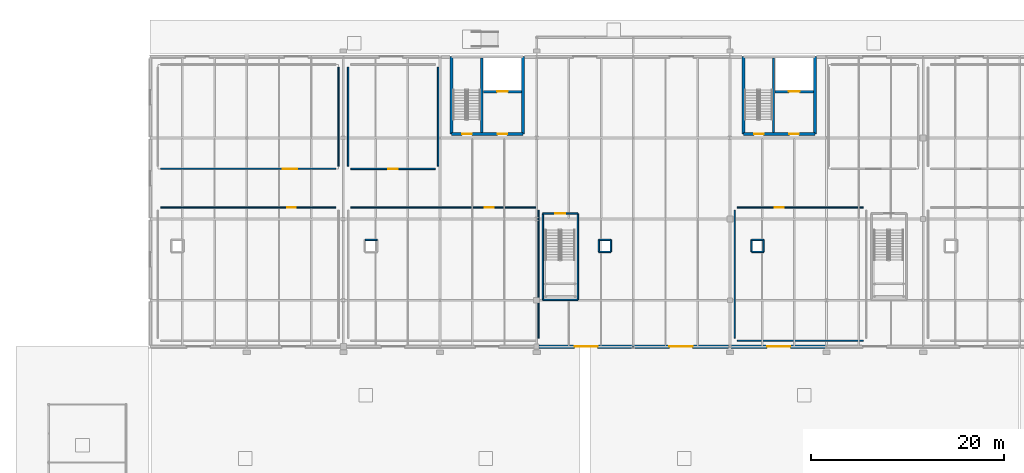
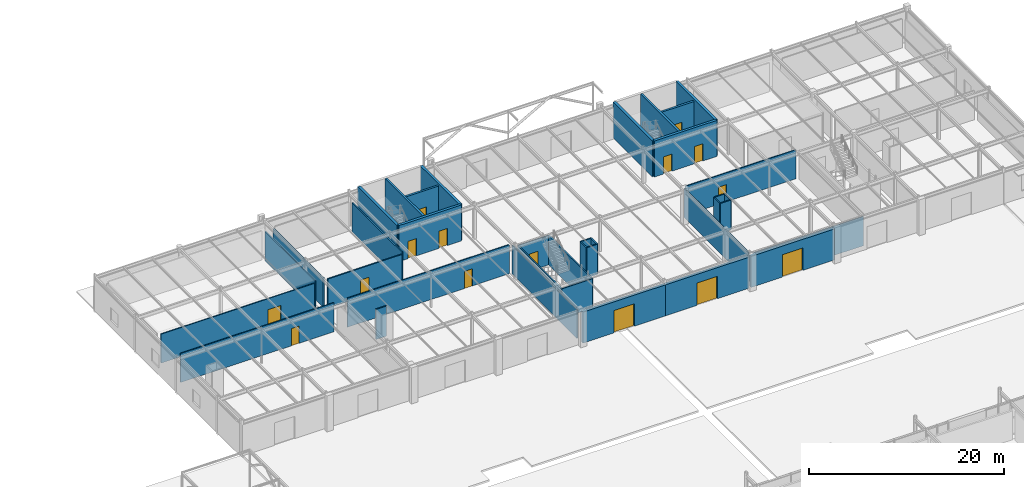
# One storey, part 92 of 119: 37 walls, 15 doors, 15 openings.
"""IFC4 building model written with IfcOpenShell, lengths in metres."""

from ifc_helpers import new_model, si_unit, derived_unit, direction, frame, frame_2d, origin, place, context, subcontext, project, spatial, rectangle, extrude, material, layer, layer_set, type_object, element, fill, save


model = new_model("IFC4")

# Units and contexts
model_context = context("Model", 3, precision=1e-05, world=origin(), true_north=direction((0.0, 1.0)))
body_context = subcontext(model_context, "Body", "Model", "MODEL_VIEW")
ifc_project = project(units=[si_unit("LENGTHUNIT", "METRE"), si_unit("AREAUNIT", "SQUARE_METRE"), si_unit("VOLUMEUNIT", "CUBIC_METRE"), si_unit("PLANEANGLEUNIT", "RADIAN"), si_unit("MASSUNIT", "GRAM", prefix="KILO"), derived_unit("THERMALTRANSMITTANCEUNIT", [(si_unit("POWERUNIT", "WATT"), 1), (si_unit("LENGTHUNIT", "METRE"), -2), (si_unit("THERMODYNAMICTEMPERATUREUNIT", "KELVIN"), -1)])], contexts=[model_context])

# Site, building, storey
site_placement = place(None, origin())
site = spatial("IfcSite", under=ifc_project, at=site_placement, CompositionType="ELEMENT")
building_placement = place(site_placement, origin())
building = spatial("IfcBuilding", under=site, at=building_placement, Name="Cinnabar Yard Market Hall", CompositionType="ELEMENT")
storey_placement = place(building_placement, origin())
storey = spatial("IfcBuildingStorey", under=building, at=storey_placement, Name="L00", CompositionType="ELEMENT", Elevation=0.0)

# Wall, opening, door
ifc_material_1 = material(Name="Acoustic steel-stud plasterboard", Category="steel")
ifc_layer_1 = layer(ifc_material_1, 0.1201171875)
ifc_layer_set_1 = layer_set([ifc_layer_1], Name="Acoustic steel-stud plasterboard")
wall_type_1 = type_object("IfcWallType", Name="WL-PT120", PredefinedType="PARTITIONING", material=ifc_layer_set_1)
wall_1_placement = place(storey_placement, frame((85.219970703125, 122.39990234375, 0.0), z_axis=(0.0, 0.0, 1.0), x_axis=(-1.0, 0.0, 0.0)))
wall_1 = element("IfcWall", 1, at=wall_1_placement, inside=storey, type_object=wall_type_1, Name="Partition Sourdough Mill and Bakery Workshop north", PredefinedType="PARTITIONING", context=body_context, shape_type="SweptSolid", body=[
    extrude(rectangle(XDim=18.139892578125, YDim=0.1201171875, at=frame_2d((9.06982421875, 0.0), x_axis=(1.0, 0.0))), origin(), (0.0, 0.0, 1.0), 3.6201171875),
])
opening_1_placement = place(wall_1_placement, frame((4.1328125, 0.0, 0.0)))
opening_1 = element("IfcOpeningElement", 2, at=opening_1_placement, cuts=wall_1, Name="Opening ID-131", PredefinedType="OPENING", context=body_context, shape_type="SweptSolid", body=[
    extrude(rectangle(XDim=0.919921875, YDim=2.14990234375, at=frame_2d((0.4599609375, 1.074951171875), x_axis=(1.0, 0.0))), frame((0.0, 0.070068359375, 0.0), z_axis=(0.0, -1.0, 0.0), x_axis=(1.0, 0.0, 0.0)), (0.0, 0.0, 1.0), 0.14013671875),
])
ifc_material_2 = material(Name="Solid-core spotted gum timber", Category="wood")
door_type_1 = type_object("IfcDoorType", Name="DR-D07", OperationType="NOTDEFINED", PredefinedType="DOOR", material=ifc_material_2)
door_1_placement = place(opening_1_placement, origin())
door_1 = element("IfcDoor", 3, at=door_1_placement, inside=storey, type_object=door_type_1, Name="Interior Door ID-131", OperationType="SINGLE_SWING_RIGHT", OverallHeight=2.14990234375, OverallWidth=0.919921875, PredefinedType="DOOR", context=body_context, shape_type="SweptSolid", body=[
    extrude(rectangle(XDim=0.919921875, YDim=2.14990234375, at=frame_2d((0.4599609375, 1.074951171875), x_axis=(1.0, 0.0))), frame((0.0, 0.02490234375, 0.0), z_axis=(0.0, -1.0, 0.0), x_axis=(1.0, 0.0, 0.0)), (0.0, 0.0, 1.0), 0.050048828125),
])
fill(opening_1, door_1)

# Wall
wall_2_placement = place(storey_placement, frame((106.199951171875, 108.8798828125, 0.0), z_axis=(0.0, 0.0, 1.0), x_axis=(0.0, 1.0, 0.0)))
element("IfcWall", 4, at=wall_2_placement, inside=storey, type_object=wall_type_1, Name="Partition Olive Oil Press and Preserve Workshop east", PredefinedType="PARTITIONING", context=body_context, shape_type="SweptSolid", body=[
    extrude(rectangle(XDim=13.240234375, YDim=0.1201171875, at=frame_2d((6.6201171875, 0.0), x_axis=(1.0, 0.0))), origin(), (0.0, 0.0, 1.0), 3.6201171875),
])

# Wall, opening, door
wall_3_placement = place(storey_placement, frame((105.919921875, 122.39990234375, 0.0), z_axis=(0.0, 0.0, 1.0), x_axis=(-1.0, 0.0, 0.0)))
wall_3 = element("IfcWall", 5, at=wall_3_placement, inside=storey, type_object=wall_type_1, Name="Partition Olive Oil Press and Preserve Workshop north", PredefinedType="PARTITIONING", context=body_context, shape_type="SweptSolid", body=[
    extrude(rectangle(XDim=19.139892578125, YDim=0.1201171875, at=frame_2d((9.56982421875, 0.0), x_axis=(1.0, 0.0))), origin(), (0.0, 0.0, 1.0), 3.6201171875),
])
opening_2_placement = place(wall_3_placement, frame((4.365478515625, 0.0, 0.0)))
opening_2 = element("IfcOpeningElement", 6, at=opening_2_placement, cuts=wall_3, Name="Opening ID-132", PredefinedType="OPENING", context=body_context, shape_type="SweptSolid", body=[
    extrude(rectangle(XDim=0.949951171875, YDim=2.14990234375, at=frame_2d((0.47509765625, 1.074951171875), x_axis=(1.0, 0.0))), frame((0.0, 0.070068359375, 0.0), z_axis=(0.0, -1.0, 0.0), x_axis=(1.0, 0.0, 0.0)), (0.0, 0.0, 1.0), 0.14013671875),
])
door_type_2 = type_object("IfcDoorType", Name="DR-D06", OperationType="NOTDEFINED", PredefinedType="DOOR", material=ifc_material_2)
door_2_placement = place(opening_2_placement, origin())
door_2 = element("IfcDoor", 7, at=door_2_placement, inside=storey, type_object=door_type_2, Name="Interior Door ID-132", OperationType="SINGLE_SWING_LEFT", OverallHeight=2.14990234375, OverallWidth=0.949951171875, PredefinedType="DOOR", context=body_context, shape_type="SweptSolid", body=[
    extrude(rectangle(XDim=0.949951171875, YDim=2.14990234375, at=frame_2d((0.47509765625, 1.074951171875), x_axis=(1.0, 0.0))), frame((0.0, 0.02490234375, 0.0), z_axis=(0.0, -1.0, 0.0), x_axis=(1.0, 0.0, 0.0)), (0.0, 0.0, 1.0), 0.050048828125),
])
fill(opening_2, door_2)

# Wall
wall_4_placement = place(storey_placement, frame((126.780029296875, 108.60009765625, 0.0), z_axis=(0.0, 0.0, 1.0), x_axis=(1.0, 0.0, 0.0)))
element("IfcWall", 8, at=wall_4_placement, inside=storey, type_object=wall_type_1, Name="Partition Ceramic Tableware and Knife Workshop south", PredefinedType="PARTITIONING", context=body_context, shape_type="SweptSolid", body=[
    extrude(rectangle(XDim=13.0400390625, YDim=0.1201171875, at=frame_2d((6.52001953125, 0.0), x_axis=(1.0, 0.0))), origin(), (0.0, 0.0, 1.0), 3.6201171875),
])

# Wall, opening, door
wall_5_placement = place(storey_placement, frame((139.820068359375, 122.39990234375, 0.0), z_axis=(0.0, 0.0, 1.0), x_axis=(-1.0, 0.0, 0.0)))
wall_5 = element("IfcWall", 9, at=wall_5_placement, inside=storey, type_object=wall_type_1, Name="Partition Ceramic Tableware and Knife Workshop north", PredefinedType="PARTITIONING", context=body_context, shape_type="SweptSolid", body=[
    extrude(rectangle(XDim=13.0400390625, YDim=0.1201171875, at=frame_2d((6.52001953125, 0.0), x_axis=(1.0, 0.0))), origin(), (0.0, 0.0, 1.0), 3.6201171875),
])
opening_3_placement = place(wall_5_placement, frame((8.24169921875, 0.0, 0.0)))
opening_3 = element("IfcOpeningElement", 10, at=opening_3_placement, cuts=wall_5, Name="Opening ID-133", PredefinedType="OPENING", context=body_context, shape_type="SweptSolid", body=[
    extrude(rectangle(XDim=0.919921875, YDim=2.14990234375, at=frame_2d((0.4599609375, 1.074951171875), x_axis=(1.0, 0.0))), frame((0.0, 0.070068359375, 0.0), z_axis=(0.0, -1.0, 0.0), x_axis=(1.0, 0.0, 0.0)), (0.0, 0.0, 1.0), 0.14013671875),
])
door_3_placement = place(opening_3_placement, origin())
door_3 = element("IfcDoor", 11, at=door_3_placement, inside=storey, type_object=door_type_1, Name="Interior Door ID-133", OperationType="SINGLE_SWING_RIGHT", OverallHeight=2.14990234375, OverallWidth=0.919921875, PredefinedType="DOOR", context=body_context, shape_type="SweptSolid", body=[
    extrude(rectangle(XDim=0.919921875, YDim=2.14990234375, at=frame_2d((0.4599609375, 1.074951171875), x_axis=(1.0, 0.0))), frame((0.0, 0.02490234375, 0.0), z_axis=(0.0, -1.0, 0.0), x_axis=(1.0, 0.0, 0.0)), (0.0, 0.0, 1.0), 0.050048828125),
])
fill(opening_3, door_3)

# Wall
wall_6_placement = place(storey_placement, frame((126.5, 122.1201171875, 0.0), z_axis=(0.0, 0.0, 1.0), x_axis=(0.0, -1.0, 0.0)))
element("IfcWall", 12, at=wall_6_placement, inside=storey, type_object=wall_type_1, Name="Partition Ceramic Tableware and Knife Workshop west", PredefinedType="PARTITIONING", context=body_context, shape_type="SweptSolid", body=[
    extrude(rectangle(XDim=13.240234375, YDim=0.1201171875, at=frame_2d((6.6201171875, 0.0), x_axis=(1.0, 0.0))), origin(), (0.0, 0.0, 1.0), 3.6201171875),
])

# Wall, opening, door
wall_7_placement = place(storey_placement, frame((67.080078125, 126.39990234375, 0.0), z_axis=(0.0, 0.0, 1.0), x_axis=(1.0, 0.0, 0.0)))
wall_7 = element("IfcWall", 13, at=wall_7_placement, inside=storey, type_object=wall_type_1, Name="Partition Producers Community Room 01 south", PredefinedType="PARTITIONING", context=body_context, shape_type="SweptSolid", body=[
    extrude(rectangle(XDim=18.139892578125, YDim=0.1201171875, at=frame_2d((9.06982421875, 0.0), x_axis=(1.0, 0.0))), origin(), (0.0, 0.0, 1.0), 3.6201171875),
])
opening_4_placement = place(wall_7_placement, frame((12.646484375, 0.0, 0.0)))
opening_4 = element("IfcOpeningElement", 14, at=opening_4_placement, cuts=wall_7, Name="Opening ID-136", PredefinedType="OPENING", context=body_context, shape_type="SweptSolid", body=[
    extrude(rectangle(XDim=1.5, YDim=2.25, at=frame_2d((0.75, 1.125), x_axis=(1.0, 0.0))), frame((0.0, 0.070068359375, 0.0), z_axis=(0.0, -1.0, 0.0), x_axis=(1.0, 0.0, 0.0)), (0.0, 0.0, 1.0), 0.14013671875),
])
ifc_material_3 = material(Name="Spotted gum timber and vision glass", Category="wood")
door_type_3 = type_object("IfcDoorType", Name="DR-D08", OperationType="NOTDEFINED", PredefinedType="DOOR", material=ifc_material_3)
door_4_placement = place(opening_4_placement, origin())
door_4 = element("IfcDoor", 15, at=door_4_placement, inside=storey, type_object=door_type_3, Name="Interior Door ID-136", OperationType="DOUBLE_SWING_LEFT", OverallHeight=2.25, OverallWidth=1.5, PredefinedType="DOOR", context=body_context, shape_type="SweptSolid", body=[
    extrude(rectangle(XDim=1.5, YDim=2.25, at=frame_2d((0.75, 1.125), x_axis=(1.0, 0.0))), frame((0.0, 0.02490234375, 0.0), z_axis=(0.0, -1.0, 0.0), x_axis=(1.0, 0.0, 0.0)), (0.0, 0.0, 1.0), 0.050048828125),
])
fill(opening_4, door_4)

# Walls
wall_8_placement = place(storey_placement, frame((85.5, 126.679931640625, 0.0), z_axis=(0.0, 0.0, 1.0), x_axis=(0.0, 1.0, 0.0)))
element("IfcWall", 16, at=wall_8_placement, inside=storey, type_object=wall_type_1, Name="Partition Producers Community Room 01 east", PredefinedType="PARTITIONING", context=body_context, shape_type="SweptSolid", body=[
    extrude(rectangle(XDim=10.239990234375, YDim=0.1201171875, at=frame_2d((5.1201171875, 0.0), x_axis=(1.0, 0.0))), origin(), (0.0, 0.0, 1.0), 3.6201171875),
])
ifc_material_4 = material(Name="Fire-rated steel-stud plasterboard", Category="steel")
ifc_layer_2 = layer(ifc_material_4, 0.14990234375)
ifc_layer_set_2 = layer_set([ifc_layer_2], Name="Fire-rated steel-stud plasterboard")
wall_type_2 = type_object("IfcWallType", Name="WL-PT150", PredefinedType="PARTITIONING", material=ifc_layer_set_2)
for number, where, z_axis, x_axis, name in (
    (17, (106.639892578125, 121.760009765625, 0.0), (0.0, 0.0, 1.0), (0.0, -1.0, 0.0), "Stair ST-F4 Shaft Wall W L00"),
    (18, (110.260009765625, 112.840087890625, 0.0), (0.0, 0.0, 1.0), (0.0, 1.0, 0.0), "Stair ST-F4 Shaft Wall E L00"),
):
    element("IfcWall", number, at=place(storey_placement, frame(where, z_axis=z_axis, x_axis=x_axis)), inside=storey, type_object=wall_type_2, Name=name, PredefinedType="PARTITIONING", context=body_context, shape_type="SweptSolid", body=[
        extrude(rectangle(XDim=8.919921875, YDim=0.14990234375, at=frame_2d((4.4599609375, 0.0), x_axis=(1.0, 0.0))), origin(), (0.0, 0.0, 1.0), 3.659912109375),
    ])
wall_9_placement = place(storey_placement, frame((106.639892578125, 112.840087890625, 0.0), z_axis=(0.0, 0.0, 1.0), x_axis=(1.0, 0.0, 0.0)))
element("IfcWall", 19, at=wall_9_placement, inside=storey, type_object=wall_type_2, Name="Stair ST-F4 Shaft Wall S L00", PredefinedType="PARTITIONING", context=body_context, shape_type="SweptSolid", body=[
    extrude(rectangle(XDim=3.6201171875, YDim=0.14990234375, at=frame_2d((1.81005859375, 0.0), x_axis=(1.0, 0.0))), origin(), (0.0, 0.0, 1.0), 3.659912109375),
])

# Wall, opening, door
wall_10_placement = place(storey_placement, frame((110.260009765625, 121.760009765625, 0.0), z_axis=(0.0, 0.0, 1.0), x_axis=(-1.0, 0.0, 0.0)))
wall_10 = element("IfcWall", 20, at=wall_10_placement, inside=storey, type_object=wall_type_2, Name="Stair ST-F4 Shaft Wall N L00", PredefinedType="PARTITIONING", context=body_context, shape_type="SweptSolid", body=[
    extrude(rectangle(XDim=3.6201171875, YDim=0.14990234375, at=frame_2d((1.81005859375, 0.0), x_axis=(1.0, 0.0))), origin(), (0.0, 0.0, 1.0), 3.659912109375),
])
opening_5_placement = place(wall_10_placement, frame((1.31005859375, 0.0, 0.0)))
opening_5 = element("IfcOpeningElement", 21, at=opening_5_placement, cuts=wall_10, Name="Opening CD-073", PredefinedType="OPENING", context=body_context, shape_type="SweptSolid", body=[
    extrude(rectangle(XDim=1.0, YDim=2.14990234375, at=frame_2d((0.5, 1.074951171875), x_axis=(1.0, 0.0))), frame((0.0, 0.0849609375, 0.0), z_axis=(0.0, -1.0, 0.0), x_axis=(1.0, 0.0, 0.0)), (0.0, 0.0, 1.0), 0.169921875),
])
door_type_4 = type_object("IfcDoorType", Name="DR-D05", OperationType="NOTDEFINED", PredefinedType="DOOR", material=ifc_material_2)
door_5_placement = place(opening_5_placement, origin())
door_5 = element("IfcDoor", 22, at=door_5_placement, inside=storey, type_object=door_type_4, Name="Stair Door CD-073", OperationType="SINGLE_SWING_LEFT", OverallHeight=2.14990234375, OverallWidth=1.0, PredefinedType="DOOR", context=body_context, shape_type="SweptSolid", body=[
    extrude(rectangle(XDim=1.0, YDim=2.14990234375, at=frame_2d((0.5, 1.074951171875), x_axis=(1.0, 0.0))), frame((0.0, 0.02490234375, 0.0), z_axis=(0.0, -1.0, 0.0), x_axis=(1.0, 0.0, 0.0)), (0.0, 0.0, 1.0), 0.050048828125),
])
fill(opening_5, door_5)

# Walls
for number, where, z_axis, x_axis, name in (
    (23, (89.489990234375, 119.050048828125, 0.0), (0.0, 0.0, 1.0), (-1.0, 0.0, 0.0), "Service Shaft Wall L00-2-3"),
    (24, (112.43994140625, 117.800048828125, 0.0), (0.0, 0.0, 1.0), (1.0, 0.0, 0.0), "Service Shaft Wall L00-3-1"),
    (25, (113.68994140625, 117.800048828125, 0.0), (0.0, 0.0, 1.0), (0.0, 1.0, 0.0), "Service Shaft Wall L00-3-2"),
    (26, (113.68994140625, 119.050048828125, 0.0), (0.0, 0.0, 1.0), (-1.0, 0.0, 0.0), "Service Shaft Wall L00-3-3"),
    (27, (112.43994140625, 119.050048828125, 0.0), (0.0, 0.0, 1.0), (0.0, -1.0, 0.0), "Service Shaft Wall L00-3-4"),
    (28, (128.239990234375, 117.800048828125, 0.0), (0.0, 0.0, 1.0), (1.0, 0.0, 0.0), "Service Shaft Wall L00-4-1"),
    (29, (129.489990234375, 117.800048828125, 0.0), (0.0, 0.0, 1.0), (0.0, 1.0, 0.0), "Service Shaft Wall L00-4-2"),
    (30, (129.489990234375, 119.050048828125, 0.0), (0.0, 0.0, 1.0), (-1.0, 0.0, 0.0), "Service Shaft Wall L00-4-3"),
    (31, (128.239990234375, 119.050048828125, 0.0), (0.0, 0.0, 1.0), (0.0, -1.0, 0.0), "Service Shaft Wall L00-4-4"),
):
    element("IfcWall", number, at=place(storey_placement, frame(where, z_axis=z_axis, x_axis=x_axis)), inside=storey, type_object=wall_type_2, Name=name, PredefinedType="PARTITIONING", context=body_context, shape_type="SweptSolid", body=[
        extrude(rectangle(XDim=1.25, YDim=0.14990234375, at=frame_2d((0.625, 0.0), x_axis=(1.0, 0.0))), origin(), (0.0, 0.0, 1.0), 3.760009765625),
    ])

# Wall, opening, door
wall_11_placement = place(storey_placement, frame((86.780029296875, 126.39990234375, 0.0), z_axis=(0.0, 0.0, 1.0), x_axis=(1.0, 0.0, 0.0)))
wall_11 = element("IfcWall", 32, at=wall_11_placement, inside=storey, type_object=wall_type_2, Name="Partition Fire Control Room south", PredefinedType="PARTITIONING", context=body_context, shape_type="SweptSolid", body=[
    extrude(rectangle(XDim=8.739990234375, YDim=0.14990234375, at=frame_2d((4.3701171875, 0.0), x_axis=(1.0, 0.0))), origin(), (0.0, 0.0, 1.0), 3.6201171875),
])
opening_6_placement = place(wall_11_placement, frame((3.8701171875, 0.0, 0.0)))
opening_6 = element("IfcOpeningElement", 33, at=opening_6_placement, cuts=wall_11, Name="Opening ID-135", PredefinedType="OPENING", context=body_context, shape_type="SweptSolid", body=[
    extrude(rectangle(XDim=1.0, YDim=2.14990234375, at=frame_2d((0.5, 1.074951171875), x_axis=(1.0, 0.0))), frame((0.0, 0.0849609375, 0.0), z_axis=(0.0, -1.0, 0.0), x_axis=(1.0, 0.0, 0.0)), (0.0, 0.0, 1.0), 0.169921875),
])
door_6_placement = place(opening_6_placement, origin())
door_6 = element("IfcDoor", 34, at=door_6_placement, inside=storey, type_object=door_type_4, Name="Interior Door ID-135", OperationType="SINGLE_SWING_RIGHT", OverallHeight=2.14990234375, OverallWidth=1.0, PredefinedType="DOOR", context=body_context, shape_type="SweptSolid", body=[
    extrude(rectangle(XDim=1.0, YDim=2.14990234375, at=frame_2d((0.5, 1.074951171875), x_axis=(1.0, 0.0))), frame((0.0, 0.02490234375, 0.0), z_axis=(0.0, -1.0, 0.0), x_axis=(1.0, 0.0, 0.0)), (0.0, 0.0, 1.0), 0.050048828125),
])
fill(opening_6, door_6)

# Walls
for number, where, z_axis, x_axis, name in (
    (35, (95.800048828125, 126.679931640625, 0.0), (0.0, 0.0, 1.0), (0.0, 1.0, 0.0), "Partition Fire Control Room east"),
    (36, (86.5, 136.919921875, 0.0), (0.0, 0.0, 1.0), (0.0, -1.0, 0.0), "Partition Fire Control Room west"),
):
    element("IfcWall", number, at=place(storey_placement, frame(where, z_axis=z_axis, x_axis=x_axis)), inside=storey, type_object=wall_type_2, Name=name, PredefinedType="PARTITIONING", context=body_context, shape_type="SweptSolid", body=[
        extrude(rectangle(XDim=10.239990234375, YDim=0.14990234375, at=frame_2d((5.1201171875, 0.0), x_axis=(1.0, 0.0))), origin(), (0.0, 0.0, 1.0), 3.6201171875),
    ])
ifc_material_5 = material(Name="Concrete 40 MPa", Category="concrete")
ifc_layer_3 = layer(ifc_material_5, 0.300048828125)
ifc_layer_set_3 = layer_set([ifc_layer_3], Name="Concrete 40 MPa")
wall_type_3 = type_object("IfcWallType", Name="WL-W-CORE", PredefinedType="SHEAR", material=ifc_layer_set_3)
for number, where, z_axis, x_axis, name in (
    (37, (97.199951171875, 138.0, 0.0), (0.0, 0.0, 1.0), (0.0, -1.0, 0.0), "Core C5 West Shear Wall L00"),
    (38, (104.60009765625, 130.0, 0.0), (0.0, 0.0, 1.0), (0.0, 1.0, 0.0), "Core C5 East Shear Wall L00"),
):
    element("IfcWall", number, at=place(storey_placement, frame(where, z_axis=z_axis, x_axis=x_axis)), inside=storey, type_object=wall_type_3, Name=name, PredefinedType="SHEAR", context=body_context, shape_type="SweptSolid", body=[
        extrude(rectangle(XDim=8.0, YDim=0.300048828125, at=frame_2d((4.0, 0.0), x_axis=(1.0, 0.0))), origin(), (0.0, 0.0, 1.0), 4.5),
    ])

# Wall, openings, doors
wall_12_placement = place(storey_placement, frame((97.199951171875, 130.0, 0.0), z_axis=(0.0, 0.0, 1.0), x_axis=(1.0, 0.0, 0.0)))
wall_12 = element("IfcWall", 39, at=wall_12_placement, inside=storey, type_object=wall_type_3, Name="Core C5 South Shear Wall L00", PredefinedType="SHEAR", context=body_context, shape_type="SweptSolid", body=[
    extrude(rectangle(XDim=7.400146484375, YDim=0.300048828125, at=frame_2d((3.7001953125, 0.0), x_axis=(1.0, 0.0))), origin(), (0.0, 0.0, 1.0), 4.5),
])
opening_7_placement = place(wall_12_placement, frame((1.10009765625, 0.0, 0.0)))
opening_7 = element("IfcOpeningElement", 40, at=opening_7_placement, cuts=wall_12, Name="Opening CD-031", PredefinedType="OPENING", context=body_context, shape_type="SweptSolid", body=[
    extrude(rectangle(XDim=1.0, YDim=2.14990234375, at=frame_2d((0.5, 1.074951171875), x_axis=(1.0, 0.0))), frame((0.0, 0.159912109375, 0.0), z_axis=(0.0, -1.0, 0.0), x_axis=(1.0, 0.0, 0.0)), (0.0, 0.0, 1.0), 0.320068359375),
])
opening_8_placement = place(wall_12_placement, frame((4.75, 0.0, 0.0)))
opening_8 = element("IfcOpeningElement", 41, at=opening_8_placement, cuts=wall_12, Name="Opening CD-032", PredefinedType="OPENING", context=body_context, shape_type="SweptSolid", body=[
    extrude(rectangle(XDim=1.0, YDim=2.14990234375, at=frame_2d((0.5, 1.074951171875), x_axis=(1.0, 0.0))), frame((0.0, 0.159912109375, 0.0), z_axis=(0.0, -1.0, 0.0), x_axis=(1.0, 0.0, 0.0)), (0.0, 0.0, 1.0), 0.320068359375),
])
door_7_placement = place(opening_7_placement, origin())
door_7 = element("IfcDoor", 42, at=door_7_placement, inside=storey, type_object=door_type_4, Name="Core Door CD-031", OperationType="SINGLE_SWING_RIGHT", OverallHeight=2.14990234375, OverallWidth=1.0, PredefinedType="DOOR", context=body_context, shape_type="SweptSolid", body=[
    extrude(rectangle(XDim=1.0, YDim=2.14990234375, at=frame_2d((0.5, 1.074951171875), x_axis=(1.0, 0.0))), frame((0.0, 0.02490234375, 0.0), z_axis=(0.0, -1.0, 0.0), x_axis=(1.0, 0.0, 0.0)), (0.0, 0.0, 1.0), 0.050048828125),
])
fill(opening_7, door_7)
door_8_placement = place(opening_8_placement, origin())
door_8 = element("IfcDoor", 43, at=door_8_placement, inside=storey, type_object=door_type_4, Name="Core Door CD-032", OperationType="SINGLE_SWING_LEFT", OverallHeight=2.14990234375, OverallWidth=1.0, PredefinedType="DOOR", context=body_context, shape_type="SweptSolid", body=[
    extrude(rectangle(XDim=1.0, YDim=2.14990234375, at=frame_2d((0.5, 1.074951171875), x_axis=(1.0, 0.0))), frame((0.0, 0.02490234375, 0.0), z_axis=(0.0, -1.0, 0.0), x_axis=(1.0, 0.0, 0.0)), (0.0, 0.0, 1.0), 0.050048828125),
])
fill(opening_8, door_8)

# Walls
for number, where, z_axis, x_axis, name in (
    (44, (127.39990234375, 138.0, 0.0), (0.0, 0.0, 1.0), (0.0, -1.0, 0.0), "Core C6 West Shear Wall L00"),
    (45, (134.800048828125, 130.0, 0.0), (0.0, 0.0, 1.0), (0.0, 1.0, 0.0), "Core C6 East Shear Wall L00"),
):
    element("IfcWall", number, at=place(storey_placement, frame(where, z_axis=z_axis, x_axis=x_axis)), inside=storey, type_object=wall_type_3, Name=name, PredefinedType="SHEAR", context=body_context, shape_type="SweptSolid", body=[
        extrude(rectangle(XDim=8.0, YDim=0.300048828125, at=frame_2d((4.0, 0.0), x_axis=(1.0, 0.0))), origin(), (0.0, 0.0, 1.0), 4.5),
    ])

# Wall, openings, doors
wall_13_placement = place(storey_placement, frame((127.39990234375, 130.0, 0.0), z_axis=(0.0, 0.0, 1.0), x_axis=(1.0, 0.0, 0.0)))
wall_13 = element("IfcWall", 46, at=wall_13_placement, inside=storey, type_object=wall_type_3, Name="Core C6 South Shear Wall L00", PredefinedType="SHEAR", context=body_context, shape_type="SweptSolid", body=[
    extrude(rectangle(XDim=7.400146484375, YDim=0.300048828125, at=frame_2d((3.7001953125, 0.0), x_axis=(1.0, 0.0))), origin(), (0.0, 0.0, 1.0), 4.5),
])
opening_9_placement = place(wall_13_placement, frame((1.10009765625, 0.0, 0.0)))
opening_9 = element("IfcOpeningElement", 47, at=opening_9_placement, cuts=wall_13, Name="Opening CD-043", PredefinedType="OPENING", context=body_context, shape_type="SweptSolid", body=[
    extrude(rectangle(XDim=1.0, YDim=2.14990234375, at=frame_2d((0.5, 1.074951171875), x_axis=(1.0, 0.0))), frame((0.0, 0.159912109375, 0.0), z_axis=(0.0, -1.0, 0.0), x_axis=(1.0, 0.0, 0.0)), (0.0, 0.0, 1.0), 0.320068359375),
])
opening_10_placement = place(wall_13_placement, frame((4.75, 0.0, 0.0)))
opening_10 = element("IfcOpeningElement", 48, at=opening_10_placement, cuts=wall_13, Name="Opening CD-044", PredefinedType="OPENING", context=body_context, shape_type="SweptSolid", body=[
    extrude(rectangle(XDim=1.0, YDim=2.14990234375, at=frame_2d((0.5, 1.074951171875), x_axis=(1.0, 0.0))), frame((0.0, 0.159912109375, 0.0), z_axis=(0.0, -1.0, 0.0), x_axis=(1.0, 0.0, 0.0)), (0.0, 0.0, 1.0), 0.320068359375),
])
door_9_placement = place(opening_9_placement, origin())
door_9 = element("IfcDoor", 49, at=door_9_placement, inside=storey, type_object=door_type_4, Name="Core Door CD-043", OperationType="SINGLE_SWING_RIGHT", OverallHeight=2.14990234375, OverallWidth=1.0, PredefinedType="DOOR", context=body_context, shape_type="SweptSolid", body=[
    extrude(rectangle(XDim=1.0, YDim=2.14990234375, at=frame_2d((0.5, 1.074951171875), x_axis=(1.0, 0.0))), frame((0.0, 0.02490234375, 0.0), z_axis=(0.0, -1.0, 0.0), x_axis=(1.0, 0.0, 0.0)), (0.0, 0.0, 1.0), 0.050048828125),
])
fill(opening_9, door_9)
door_10_placement = place(opening_10_placement, origin())
door_10 = element("IfcDoor", 50, at=door_10_placement, inside=storey, type_object=door_type_4, Name="Core Door CD-044", OperationType="SINGLE_SWING_LEFT", OverallHeight=2.14990234375, OverallWidth=1.0, PredefinedType="DOOR", context=body_context, shape_type="SweptSolid", body=[
    extrude(rectangle(XDim=1.0, YDim=2.14990234375, at=frame_2d((0.5, 1.074951171875), x_axis=(1.0, 0.0))), frame((0.0, 0.02490234375, 0.0), z_axis=(0.0, -1.0, 0.0), x_axis=(1.0, 0.0, 0.0)), (0.0, 0.0, 1.0), 0.050048828125),
])
fill(opening_10, door_10)

# Wall, opening, door
ifc_material_6 = material(Name="Red sandstone ashlar over Concrete 32 MPa", Category="masonry")
ifc_layer_4 = layer(ifc_material_6, 0.35009765625)
ifc_layer_set_4 = layer_set([ifc_layer_4], Name="Red sandstone ashlar over Concrete 32 MPa")
wall_type_4 = type_object("IfcWallType", Name="WL-W-EXT1", PredefinedType="SOLIDWALL", material=ifc_layer_set_4)
wall_14_placement = place(storey_placement, frame((106.25390625, 108.0, 0.0), z_axis=(0.0, 0.0, 1.0), x_axis=(1.0, 0.0, 0.0)))
wall_14 = element("IfcWall", 51, at=wall_14_placement, inside=storey, type_object=wall_type_4, Name="Wing South Wall L00 Bay 5", PredefinedType="SOLIDWALL", context=body_context, shape_type="SweptSolid", body=[
    extrude(rectangle(XDim=9.736083984375, YDim=0.35009765625, at=frame_2d((4.8681640625, 0.0), x_axis=(1.0, 0.0))), origin(), (0.0, 0.0, 1.0), 3.8798828125),
])
opening_11_placement = place(wall_14_placement, frame((3.66796875, 0.0, 0.0)))
opening_11 = element("IfcOpeningElement", 52, at=opening_11_placement, cuts=wall_14, Name="Opening ED-028", PredefinedType="OPENING", context=body_context, shape_type="SweptSolid", body=[
    extrude(rectangle(XDim=2.39990234375, YDim=2.800048828125, at=frame_2d((1.199951171875, 1.39990234375), x_axis=(1.0, 0.0))), frame((0.0, 0.18505859375, 0.0), z_axis=(0.0, -1.0, 0.0), x_axis=(1.0, 0.0, 0.0)), (0.0, 0.0, 1.0), 0.3701171875),
])
ifc_material_7 = material(Name="Anodised bronze aluminium and toughened glass", Category="aluminium")
door_type_5 = type_object("IfcDoorType", Name="DR-D02", OperationType="NOTDEFINED", PredefinedType="DOOR", material=ifc_material_7)
door_11_placement = place(opening_11_placement, origin())
door_11 = element("IfcDoor", 53, at=door_11_placement, inside=storey, type_object=door_type_5, Name="Door ED-028", OperationType="DOUBLE_SWING_LEFT", OverallHeight=2.800048828125, OverallWidth=2.39990234375, PredefinedType="DOOR", context=body_context, shape_type="SweptSolid", body=[
    extrude(rectangle(XDim=2.39990234375, YDim=2.800048828125, at=frame_2d((1.199951171875, 1.39990234375), x_axis=(1.0, 0.0))), frame((0.0, 0.02490234375, 0.0), z_axis=(0.0, -1.0, 0.0), x_axis=(1.0, 0.0, 0.0)), (0.0, 0.0, 1.0), 0.050048828125),
])
fill(opening_11, door_11)

wall_15_placement = place(storey_placement, frame((116.010009765625, 108.0, 0.0), z_axis=(0.0, 0.0, 1.0), x_axis=(1.0, 0.0, 0.0)))
wall_15 = element("IfcWall", 54, at=wall_15_placement, inside=storey, type_object=wall_type_4, Name="Wing South Wall L00 Bay 6", PredefinedType="SOLIDWALL", context=body_context, shape_type="SweptSolid", body=[
    extrude(rectangle(XDim=9.859375, YDim=0.35009765625, at=frame_2d((4.9296875, 0.0), x_axis=(1.0, 0.0))), origin(), (0.0, 0.0, 1.0), 3.8798828125),
])
opening_12_placement = place(wall_15_placement, frame((3.729736328125, 0.0, 0.0)))
opening_12 = element("IfcOpeningElement", 55, at=opening_12_placement, cuts=wall_15, Name="Opening ED-030", PredefinedType="OPENING", context=body_context, shape_type="SweptSolid", body=[
    extrude(rectangle(XDim=2.39990234375, YDim=2.800048828125, at=frame_2d((1.199951171875, 1.39990234375), x_axis=(1.0, 0.0))), frame((0.0, 0.18505859375, 0.0), z_axis=(0.0, -1.0, 0.0), x_axis=(1.0, 0.0, 0.0)), (0.0, 0.0, 1.0), 0.3701171875),
])
door_12_placement = place(opening_12_placement, origin())
door_12 = element("IfcDoor", 56, at=door_12_placement, inside=storey, type_object=door_type_5, Name="Door ED-030", OperationType="DOUBLE_SWING_LEFT", OverallHeight=2.800048828125, OverallWidth=2.39990234375, PredefinedType="DOOR", context=body_context, shape_type="SweptSolid", body=[
    extrude(rectangle(XDim=2.39990234375, YDim=2.800048828125, at=frame_2d((1.199951171875, 1.39990234375), x_axis=(1.0, 0.0))), frame((0.0, 0.02490234375, 0.0), z_axis=(0.0, -1.0, 0.0), x_axis=(1.0, 0.0, 0.0)), (0.0, 0.0, 1.0), 0.050048828125),
])
fill(opening_12, door_12)

wall_16_placement = place(storey_placement, frame((126.130615234375, 108.0, 0.0), z_axis=(0.0, 0.0, 1.0), x_axis=(1.0, 0.0, 0.0)))
wall_16 = element("IfcWall", 57, at=wall_16_placement, inside=storey, type_object=wall_type_4, Name="Wing South Wall L00 Bay 7", PredefinedType="SOLIDWALL", context=body_context, shape_type="SweptSolid", body=[
    extrude(rectangle(XDim=9.859375, YDim=0.35009765625, at=frame_2d((4.9296875, 0.0), x_axis=(1.0, 0.0))), origin(), (0.0, 0.0, 1.0), 3.8798828125),
])
opening_13_placement = place(wall_16_placement, frame((3.729736328125, 0.0, 0.0)))
opening_13 = element("IfcOpeningElement", 58, at=opening_13_placement, cuts=wall_16, Name="Opening ED-032", PredefinedType="OPENING", context=body_context, shape_type="SweptSolid", body=[
    extrude(rectangle(XDim=2.39990234375, YDim=2.800048828125, at=frame_2d((1.199951171875, 1.39990234375), x_axis=(1.0, 0.0))), frame((0.0, 0.18505859375, 0.0), z_axis=(0.0, -1.0, 0.0), x_axis=(1.0, 0.0, 0.0)), (0.0, 0.0, 1.0), 0.3701171875),
])
door_13_placement = place(opening_13_placement, origin())
door_13 = element("IfcDoor", 59, at=door_13_placement, inside=storey, type_object=door_type_5, Name="Door ED-032", OperationType="DOUBLE_SWING_LEFT", OverallHeight=2.800048828125, OverallWidth=2.39990234375, PredefinedType="DOOR", context=body_context, shape_type="SweptSolid", body=[
    extrude(rectangle(XDim=2.39990234375, YDim=2.800048828125, at=frame_2d((1.199951171875, 1.39990234375), x_axis=(1.0, 0.0))), frame((0.0, 0.02490234375, 0.0), z_axis=(0.0, -1.0, 0.0), x_axis=(1.0, 0.0, 0.0)), (0.0, 0.0, 1.0), 0.050048828125),
])
fill(opening_13, door_13)

# Wall
ifc_layer_5 = layer(ifc_material_5, 0.25)
ifc_layer_set_5 = layer_set([ifc_layer_5], Name="Concrete 40 MPa")
wall_type_5 = type_object("IfcWallType", Name="WL-W-SHAFT", PredefinedType="SHEAR", material=ifc_layer_set_5)
wall_17_placement = place(storey_placement, frame((100.31494140625, 130.14990234375, 0.0), z_axis=(0.0, 0.0, 1.0), x_axis=(0.0, 1.0, 0.0)))
element("IfcWall", 60, at=wall_17_placement, inside=storey, type_object=wall_type_5, Name="Core C5 Shaft Divider L00", PredefinedType="SHEAR", context=body_context, shape_type="SweptSolid", body=[
    extrude(rectangle(XDim=7.7001953125, YDim=0.25, at=frame_2d((3.85009765625, 0.0), x_axis=(1.0, 0.0))), origin(), (0.0, 0.0, 1.0), 4.5),
])

# Wall, opening, door
wall_18_placement = place(storey_placement, frame((100.47998046875, 134.3798828125, 0.0), z_axis=(0.0, 0.0, 1.0), x_axis=(1.0, 0.0, 0.0)))
wall_18 = element("IfcWall", 61, at=wall_18_placement, inside=storey, type_object=wall_type_5, Name="Core C5 Lift Front Wall L00", PredefinedType="SHEAR", context=body_context, shape_type="SweptSolid", body=[
    extrude(rectangle(XDim=3.969970703125, YDim=0.25, at=frame_2d((1.98486328125, 0.0), x_axis=(1.0, 0.0))), origin(), (0.0, 0.0, 1.0), 4.239990234375),
])
opening_14_placement = place(wall_18_placement, frame((1.43505859375, 0.0, 0.0)))
opening_14 = element("IfcOpeningElement", 62, at=opening_14_placement, cuts=wall_18, Name="Opening LD-LF-02-L00", PredefinedType="OPENING", context=body_context, shape_type="SweptSolid", body=[
    extrude(rectangle(XDim=1.10009765625, YDim=2.14990234375, at=frame_2d((0.550048828125, 1.074951171875), x_axis=(1.0, 0.0))), frame((0.0, 0.135009765625, 0.0), z_axis=(0.0, -1.0, 0.0), x_axis=(1.0, 0.0, 0.0)), (0.0, 0.0, 1.0), 0.27001953125),
])
ifc_material_8 = material(Name="Brushed stainless steel landing door", Category="steel")
door_type_6 = type_object("IfcDoorType", Name="DR-LD01", OperationType="NOTDEFINED", PredefinedType="DOOR", material=ifc_material_8)
door_14_placement = place(opening_14_placement, origin())
door_14 = element("IfcDoor", 63, at=door_14_placement, inside=storey, type_object=door_type_6, Name="Lift Landing Door LD-LF-02-L00", OperationType="SLIDING_TO_LEFT", OverallHeight=2.14990234375, OverallWidth=1.10009765625, PredefinedType="DOOR", context=body_context, shape_type="SweptSolid", body=[
    extrude(rectangle(XDim=1.10009765625, YDim=2.14990234375, at=frame_2d((0.550048828125, 1.074951171875), x_axis=(1.0, 0.0))), frame((0.0, 0.02490234375, 0.0), z_axis=(0.0, -1.0, 0.0), x_axis=(1.0, 0.0, 0.0)), (0.0, 0.0, 1.0), 0.050048828125),
])
fill(opening_14, door_14)

# Wall
wall_19_placement = place(storey_placement, frame((130.514892578125, 130.14990234375, 0.0), z_axis=(0.0, 0.0, 1.0), x_axis=(0.0, 1.0, 0.0)))
element("IfcWall", 64, at=wall_19_placement, inside=storey, type_object=wall_type_5, Name="Core C6 Shaft Divider L00", PredefinedType="SHEAR", context=body_context, shape_type="SweptSolid", body=[
    extrude(rectangle(XDim=7.7001953125, YDim=0.25, at=frame_2d((3.85009765625, 0.0), x_axis=(1.0, 0.0))), origin(), (0.0, 0.0, 1.0), 4.5),
])

# Wall, opening, door
wall_20_placement = place(storey_placement, frame((130.679931640625, 134.3798828125, 0.0), z_axis=(0.0, 0.0, 1.0), x_axis=(1.0, 0.0, 0.0)))
wall_20 = element("IfcWall", 65, at=wall_20_placement, inside=storey, type_object=wall_type_5, Name="Core C6 Lift Front Wall L00", PredefinedType="SHEAR", context=body_context, shape_type="SweptSolid", body=[
    extrude(rectangle(XDim=3.969970703125, YDim=0.25, at=frame_2d((1.98486328125, 0.0), x_axis=(1.0, 0.0))), origin(), (0.0, 0.0, 1.0), 4.239990234375),
])
opening_15_placement = place(wall_20_placement, frame((1.43505859375, 0.0, 0.0)))
opening_15 = element("IfcOpeningElement", 66, at=opening_15_placement, cuts=wall_20, Name="Opening LD-LP-04-L00", PredefinedType="OPENING", context=body_context, shape_type="SweptSolid", body=[
    extrude(rectangle(XDim=1.10009765625, YDim=2.14990234375, at=frame_2d((0.550048828125, 1.074951171875), x_axis=(1.0, 0.0))), frame((0.0, 0.135009765625, 0.0), z_axis=(0.0, -1.0, 0.0), x_axis=(1.0, 0.0, 0.0)), (0.0, 0.0, 1.0), 0.27001953125),
])
door_15_placement = place(opening_15_placement, origin())
door_15 = element("IfcDoor", 67, at=door_15_placement, inside=storey, type_object=door_type_6, Name="Lift Landing Door LD-LP-04-L00", OperationType="SLIDING_TO_LEFT", OverallHeight=2.14990234375, OverallWidth=1.10009765625, PredefinedType="DOOR", context=body_context, shape_type="SweptSolid", body=[
    extrude(rectangle(XDim=1.10009765625, YDim=2.14990234375, at=frame_2d((0.550048828125, 1.074951171875), x_axis=(1.0, 0.0))), frame((0.0, 0.02490234375, 0.0), z_axis=(0.0, -1.0, 0.0), x_axis=(1.0, 0.0, 0.0)), (0.0, 0.0, 1.0), 0.050048828125),
])
fill(opening_15, door_15)

save(model, "model.ifc")
